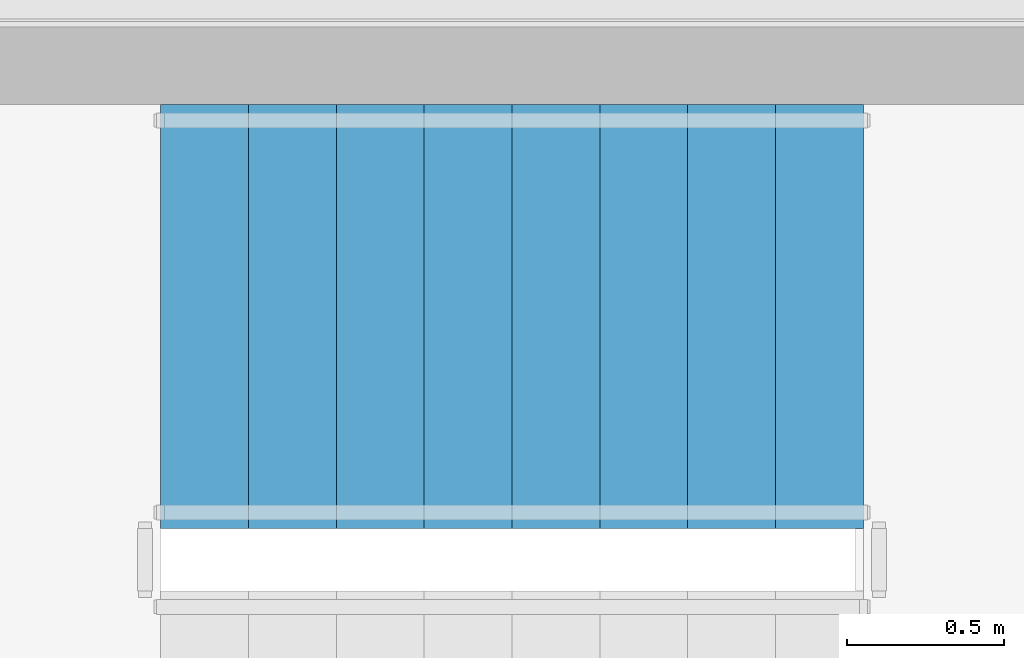
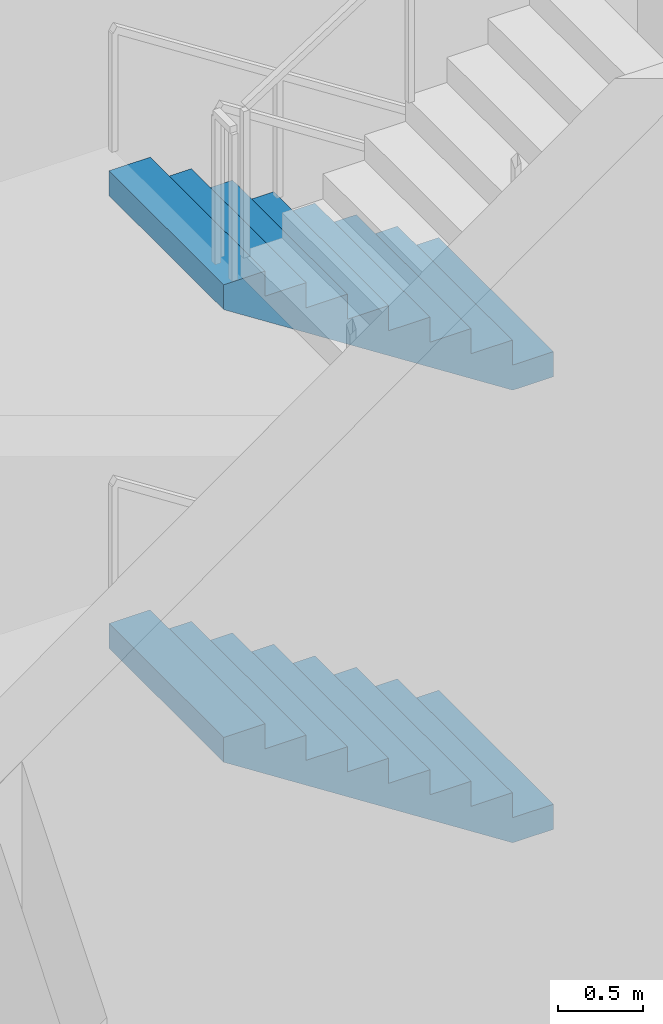
# One storey, part 17 of 19: 2 stair flights, 1 element without a shape of its own.
"""IFC4 building model written with IfcOpenShell, lengths in metres."""

import ifcopenshell
import ifcopenshell.guid

model = None  # the IFC model being written
_history = None  # IfcOwnerHistory: only IFC2X3 demands one
_inside = {}  # id of a spatial element -> (the spatial element, [elements in it])
_under = {}  # id of a project, library or spatial element -> (it, [spatial elements below it])
_declared = {}  # id of a project -> (the project, [libraries it declares])
_typed = {}  # id of a type object -> (the type object, [elements of that type])
_made_of = {}  # id of a material, layer set ... -> (it, [elements and type objects made of it])


def new_model(schema):
    """Start an empty IFC model of exactly this schema.

    Asked for "IFC4X3", IfcOpenShell would pick the latest addendum, in which some entities
    have other attributes; the version numbers below select the first issue.
    IFC2X3 requires an IfcOwnerHistory on every rooted entity: one is made here for all.
    """
    global model, _history
    if schema == "IFC4X3":
        model = ifcopenshell.file(schema_version=(4, 3, 0, 0))
    else:
        model = ifcopenshell.file(schema=schema)
    _inside.clear()
    _under.clear()
    _declared.clear()
    _typed.clear()
    _made_of.clear()
    _history = None
    if model.schema == "IFC2X3":
        org = make("IfcOrganization", Name="unknown")
        user = make(
            "IfcPersonAndOrganization",
            ThePerson=make("IfcPerson", FamilyName="unknown"),
            TheOrganization=org,
        )
        app = make(
            "IfcApplication",
            ApplicationDeveloper=org,
            Version="unknown",
            ApplicationFullName="unknown",
            ApplicationIdentifier="unknown",
        )
        _history = make(
            "IfcOwnerHistory",
            OwningUser=user,
            OwningApplication=app,
            ChangeAction="ADDED",
            CreationDate=0,
        )
    return model


def make(cls, **values):
    """One entity of the class cls with the attributes given. An attribute that is None is left unset."""
    return model.create_entity(
        cls, **{name: value for name, value in values.items() if value is not None}
    )


def rooted(cls, **values):
    """An entity with a GlobalId (a new one), such as an element, a storey or a relation."""
    return make(cls, GlobalId=ifcopenshell.guid.new(), OwnerHistory=_history, **values)


def si_unit(unit_type, name, prefix=None):
    """IfcSIUnit, for example si_unit("LENGTHUNIT", "METRE", prefix="MILLI")."""
    return make("IfcSIUnit", UnitType=unit_type, Prefix=prefix, Name=name)


def assignment(units):
    """IfcUnitAssignment: the units of a project."""
    return None if units is None else make("IfcUnitAssignment", Units=units)


def point(xyz):
    """IfcCartesianPoint."""
    return None if xyz is None else make("IfcCartesianPoint", Coordinates=xyz)


def direction(xyz):
    """IfcDirection."""
    return None if xyz is None else make("IfcDirection", DirectionRatios=xyz)


def frame(location, z_axis=None, x_axis=None):
    """IfcAxis2Placement3D, a coordinate frame: its origin and axes. An axis left out is left unset."""
    return make(
        "IfcAxis2Placement3D",
        Location=point(location),
        Axis=direction(z_axis),
        RefDirection=direction(x_axis),
    )


def origin():
    """The frame at (0, 0, 0) with its axes left unset."""
    return frame((0.0, 0.0, 0.0))


def place(relative_to, where):
    """IfcLocalPlacement: puts the frame where relative to a parent placement (None: the world)."""
    return make(
        "IfcLocalPlacement", PlacementRelTo=relative_to, RelativePlacement=where
    )


def context(
    kind, dimensions, precision=None, world=None, true_north=None, identifier=None
):
    """IfcGeometricRepresentationContext, for example the 3D "Model" context."""
    return make(
        "IfcGeometricRepresentationContext",
        ContextIdentifier=identifier,
        ContextType=kind,
        CoordinateSpaceDimension=dimensions,
        Precision=precision,
        WorldCoordinateSystem=world,
        TrueNorth=true_north,
    )


def subcontext(parent, identifier, kind, view, scale=None):
    """IfcGeometricRepresentationSubContext, for example "Body" below "Model"."""
    return make(
        "IfcGeometricRepresentationSubContext",
        ContextIdentifier=identifier,
        ContextType=kind,
        ParentContext=parent,
        TargetScale=scale,
        TargetView=view,
    )


def project(units=None, contexts=None):
    """IfcProject with its units and contexts."""
    return rooted(
        "IfcProject",
        Name="project",
        RepresentationContexts=contexts,
        UnitsInContext=assignment(units),
    )


def spatial(cls, under=None, at=None, **own):
    """A site, building, storey or space (cls), placed at a placement, below another one or the project."""
    s = rooted(cls, ObjectPlacement=at, **own)
    if under is not None:
        _under.setdefault(under.id(), (under, []))[1].append(s)
    return s


def polyline(points):
    """IfcPolyline through the points."""
    return make("IfcPolyline", Points=[point(p) for p in points])


def outline(outer, holes=None, kind="AREA"):
    """IfcArbitraryClosedProfileDef: a profile drawn as a closed curve; with holes, ...WithVoids."""
    if holes is None:
        return make("IfcArbitraryClosedProfileDef", ProfileType=kind, OuterCurve=outer)
    return make(
        "IfcArbitraryProfileDefWithVoids",
        ProfileType=kind,
        OuterCurve=outer,
        InnerCurves=holes,
    )


def extrude(swept, where, along, depth):
    """IfcExtrudedAreaSolid: the profile swept, set in the frame where, extruded along a direction by depth."""
    return make(
        "IfcExtrudedAreaSolid",
        SweptArea=swept,
        Position=where,
        ExtrudedDirection=direction(along),
        Depth=depth,
    )


def shape(context_of_items, identifier, shape_type, items):
    """IfcShapeRepresentation: the items that make up one representation, for example the "Body"."""
    return make(
        "IfcShapeRepresentation",
        ContextOfItems=context_of_items,
        RepresentationIdentifier=identifier,
        RepresentationType=shape_type,
        Items=items,
    )


def source(mapping_origin, context_of_items, identifier, shape_type, items):
    """IfcRepresentationMap: a shape defined once, which mapped items show again and again."""
    return make(
        "IfcRepresentationMap",
        MappingOrigin=mapping_origin,
        MappedRepresentation=shape(context_of_items, identifier, shape_type, items),
    )


def transform(
    local_origin,
    x_axis=None,
    y_axis=None,
    z_axis=None,
    scale=None,
    scale2=None,
    scale3=None,
    uniform=True,
):
    """IfcCartesianTransformationOperator3D, or its non-uniform kind. x_axis, y_axis, z_axis: its Axis1, 2, 3."""
    if uniform:
        return make(
            "IfcCartesianTransformationOperator3D",
            Axis1=direction(x_axis),
            Axis2=direction(y_axis),
            LocalOrigin=point(local_origin),
            Scale=scale,
            Axis3=direction(z_axis),
        )
    return make(
        "IfcCartesianTransformationOperator3DnonUniform",
        Axis1=direction(x_axis),
        Axis2=direction(y_axis),
        LocalOrigin=point(local_origin),
        Scale=scale,
        Axis3=direction(z_axis),
        Scale2=scale2,
        Scale3=scale3,
    )


def mapped(mapping_source, mapping_target):
    """IfcMappedItem: shows the shape of a source again, moved by a transform."""
    return make(
        "IfcMappedItem", MappingSource=mapping_source, MappingTarget=mapping_target
    )


def material(Name=None, Category=None):
    """IfcMaterial."""
    return make("IfcMaterial", Name=Name, Category=Category)


def made_of(thing, what):
    """Note that an element or type object is made of a material, layer set ...; save() writes the relation."""
    if what is not None:
        _made_of.setdefault(what.id(), (what, []))[1].append(thing)
    return thing


def type_object(cls, material=None, **own):
    """A type object (cls), such as IfcWallType, which elements share."""
    return made_of(rooted(cls, **own), material)


def type_shapes(of_type, sources):
    """Give a type object the sources (RepresentationMaps) that its elements show as mapped items."""
    of_type.RepresentationMaps = sources


def element(
    cls,
    number,
    at=None,
    inside=None,
    cuts=None,
    type_object=None,
    material=None,
    context=None,
    identifier="Body",
    shape_type=None,
    held_by="IfcProductDefinitionShape",
    body=None,
    shapes=None,
    **own,
):
    """One element of the class cls, such as IfcWall. Its Tag is "e" and its number.

    at: its placement. inside: the storey or other place that contains it. cuts: it is an
    opening in that element (IfcRelVoidsElement). A single representation is given by context,
    identifier, shape_type and body (its items); several are given by shapes. held_by: the class
    of the entity that holds the representations. save() writes the other relations.
    """
    e = rooted(cls, Tag="e%d" % number, ObjectPlacement=at, **own)
    if body is not None:
        shapes = [shape(context, identifier, shape_type, body)]
    if shapes is not None:
        e.Representation = make(held_by, Representations=shapes)
    if inside is not None:
        _inside.setdefault(inside.id(), (inside, []))[1].append(e)
    if cuts is not None:
        rooted(
            "IfcRelVoidsElement", RelatingBuildingElement=cuts, RelatedOpeningElement=e
        )
    if type_object is not None:
        _typed.setdefault(type_object.id(), (type_object, []))[1].append(e)
    return made_of(e, material)


def aggregate(whole, parts):
    """IfcRelAggregates: a whole, such as a stair, and the parts it consists of."""
    return rooted("IfcRelAggregates", RelatingObject=whole, RelatedObjects=parts)


def save(model, path):
    """Write the relations noted so far, then the file.

    IfcRelAggregates (storeys below a building ...), IfcRelContainedInSpatialStructure (elements
    in a storey), IfcRelDefinesByType, IfcRelAssociatesMaterial and IfcRelDeclares: one each for
    every whole, place, type object, material and project.
    """
    for whole, parts in _under.values():
        aggregate(whole, parts)
    for where, things in _inside.values():
        rooted(
            "IfcRelContainedInSpatialStructure",
            RelatedElements=things,
            RelatingStructure=where,
        )
    for kind, things in _typed.values():
        rooted("IfcRelDefinesByType", RelatedObjects=things, RelatingType=kind)
    for what, things in _made_of.values():
        rooted("IfcRelAssociatesMaterial", RelatedObjects=things, RelatingMaterial=what)
    for by, libraries in _declared.values():
        rooted("IfcRelDeclares", RelatingContext=by, RelatedDefinitions=libraries)
    model.write(path)


model = new_model("IFC4")

# Units and contexts
model_context = context("Model", 3, precision=1e-05, world=origin(), true_north=direction((0.0, 1.0)))
body_context = subcontext(model_context, "Body", "Model", "MODEL_VIEW")
ifc_project = project(units=[si_unit("LENGTHUNIT", "METRE"), si_unit("AREAUNIT", "SQUARE_METRE"), si_unit("VOLUMEUNIT", "CUBIC_METRE"), si_unit("PLANEANGLEUNIT", "RADIAN"), si_unit("MASSUNIT", "GRAM", prefix="KILO")], contexts=[model_context])

# Site, building, storey
site_placement = place(None, origin())
site = spatial("IfcSite", under=ifc_project, at=site_placement, CompositionType="ELEMENT")
building_placement = place(site_placement, origin())
building = spatial("IfcBuilding", under=site, at=building_placement, Name="Astriad Promenade Condominiums", CompositionType="ELEMENT")
storey_placement = place(building_placement, frame((0.0, 0.0, 283.800048828125)))
storey = spatial("IfcBuildingStorey", under=building, at=storey_placement, Name="L79", CompositionType="ELEMENT", Elevation=283.800048828125)

# Stair, stair flights
ifc_material = material(Name="Concrete C50/60", Category="concrete")
stair_type = type_object("IfcStairType", Name="STR-CORE-1350", PredefinedType="HALF_TURN_STAIR", material=ifc_material)
stair_placement = place(storey_placement, origin())
stair = element("IfcStair", 1, at=stair_placement, inside=storey, type_object=stair_type, Name="L79 Enclosed Core Exit Stair ST-2", PredefinedType="HALF_TURN_STAIR")
stair_flight_type = type_object("IfcStairFlightType", Name="SFL-CORE-1350", PredefinedType="STRAIGHT", material=ifc_material)
shared_shape = source(origin(), body_context, "Body", "SweptSolid", [
    extrude(outline(polyline([(0.0, 0.0), (0.0, 0.1806640625), (0.280029296875, 0.1806640625), (0.280029296875, 0.361083984375), (0.56005859375, 0.361083984375), (0.56005859375, 0.541748046875), (0.840087890625, 0.541748046875), (0.840087890625, 0.72216796875), (1.1201171875, 0.72216796875), (1.1201171875, 0.90283203125), (1.39990234375, 0.90283203125), (1.39990234375, 1.083251953125), (1.679931640625, 1.083251953125), (1.679931640625, 1.263916015625), (1.9599609375, 1.263916015625), (1.9599609375, 1.4443359375), (2.239990234375, 1.4443359375), (2.239990234375, 1.625), (2.239990234375, 1.26611328125), (0.276611328125, 0.0), (0.0, 0.0)])), frame((0.0, 0.675048828125, 0.0), z_axis=(0.0, -1.0, 0.0), x_axis=(1.0, 0.0, 0.0)), (0.0, 0.0, 1.0), 1.35009765625),
])
type_shapes(stair_flight_type, [shared_shape])
stair_flight_1_placement = place(storey_placement, frame((43.85009765625, 22.925048828125, 0.0), z_axis=(0.0, 0.0, 1.0), x_axis=(-1.0, 0.0, 0.0)))
stair_flight_1 = element("IfcStairFlight", 2, at=stair_flight_1_placement, type_object=stair_flight_type, Name="ST-2 flight 1", NumberOfRisers=9, NumberOfTreads=8, PredefinedType="STRAIGHT", RiserHeight=0.180555556, TreadLength=0.28, context=body_context, shape_type="MappedRepresentation", body=[
    mapped(shared_shape, transform((0.0, 0.0, 0.0), scale=1.0)),
])
stair_flight_2_placement = place(storey_placement, frame((43.85009765625, 22.925048828125, 3.25), z_axis=(0.0, 0.0, 1.0), x_axis=(-1.0, 0.0, 0.0)))
stair_flight_2 = element("IfcStairFlight", 3, at=stair_flight_2_placement, type_object=stair_flight_type, Name="ST-2 flight 3", NumberOfRisers=9, NumberOfTreads=8, PredefinedType="STRAIGHT", RiserHeight=0.180555556, TreadLength=0.28, context=body_context, shape_type="MappedRepresentation", body=[
    mapped(shared_shape, transform((0.0, 0.0, 0.0), scale=1.0)),
])
aggregate(stair, [stair_flight_1, stair_flight_2])

save(model, "model.ifc")
